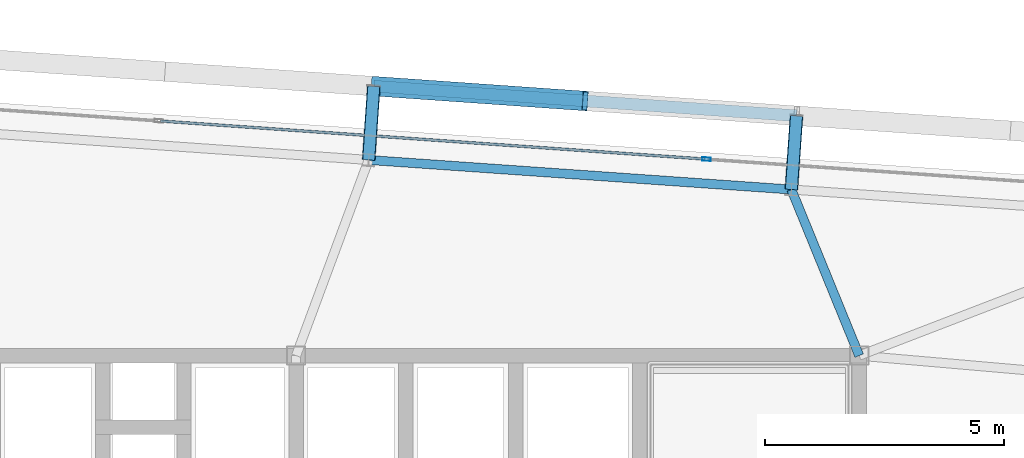
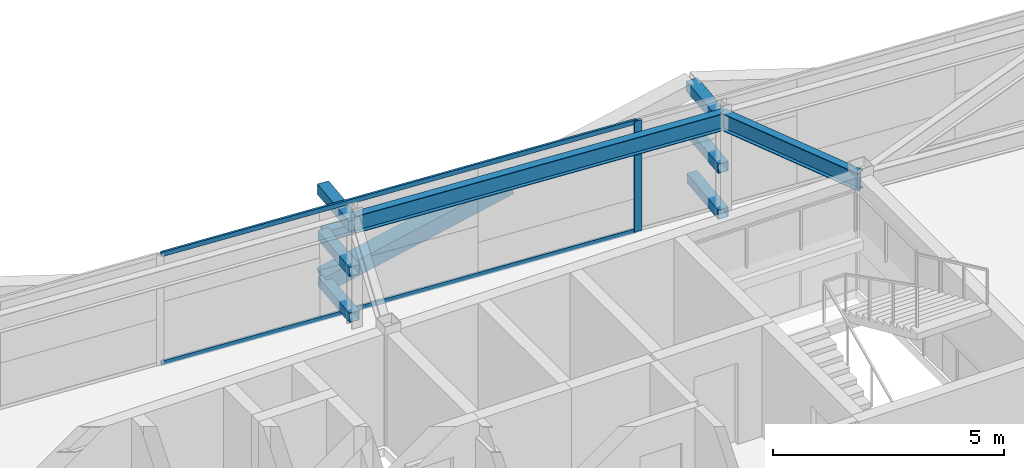
# One storey, part 23 of 39: 11 members, 2 beams, 1 element without a shape of its own.
"""IFC4 building model written with IfcOpenShell, lengths in metres."""

from ifc_helpers import new_model, si_unit, direction, frame, origin, origin_2d, place, context, subcontext, project, spatial, hollow_rectangle, i_section, extrude, source, transform, mapped, material, layer, layer_set, material_profile, profile_set, type_object, element, aggregate, save


model = new_model("IFC4")

# Units and contexts
model_context = context("Model", 3, precision=1e-05, world=origin(), true_north=direction((0.0, 1.0)))
body_context = subcontext(model_context, "Body", "Model", "MODEL_VIEW")
ifc_project = project(units=[si_unit("LENGTHUNIT", "METRE"), si_unit("AREAUNIT", "SQUARE_METRE"), si_unit("VOLUMEUNIT", "CUBIC_METRE"), si_unit("PLANEANGLEUNIT", "RADIAN"), si_unit("MASSUNIT", "GRAM", prefix="KILO")], contexts=[model_context])

# Site, building, storey
site_placement = place(None, origin())
site = spatial("IfcSite", under=ifc_project, at=site_placement, CompositionType="ELEMENT")
building_placement = place(site_placement, origin())
building = spatial("IfcBuilding", under=site, at=building_placement, Name="Taldren Reach Tower", CompositionType="ELEMENT")
storey_placement = place(building_placement, frame((0.0, 0.0, 129.85009765625)))
storey = spatial("IfcBuildingStorey", under=building, at=storey_placement, Name="L39", CompositionType="ELEMENT", Elevation=129.85009765625)

# Members
ifc_material_1 = material(Name="Steel Gr 450 (C450L0)", Category="steel")
ifc_material_profile_1 = material_profile(ifc_material_1, hollow_rectangle(XDim=0.27490234375, YDim=0.27490234375, WallThickness=0.00927734375, at=origin_2d()), Name="275x275x9.3SHS")
ifc_profile_set_1 = profile_set([ifc_material_profile_1], Name="Steel Gr 450 (C450L0)")
member_type_1 = type_object("IfcMemberType", Name="MB-TIE273", PredefinedType="STRUT", material=ifc_profile_set_1)
shared_shape_1 = source(origin(), body_context, "Body", "SweptSolid", [
    extrude(hollow_rectangle(XDim=0.27490234375, YDim=0.27490234375, WallThickness=0.00927734375, at=origin_2d()), origin(), (0.0, 0.0, 1.0), 1.550048828125),
])
for number, where, z_axis, x_axis, name in (
    (1, (40.7197265625, 36.100341796875, 2.64990234375), (0.06976957191, 0.99756313426, 0.0), (-0.99756313426, 0.06976957191, 0.0), "Exoskeleton diaphragm tie strut B3-N4 L39"),
    (2, (49.578125, 35.48095703125, 2.64990234375), (0.06976957191, 0.99756313426, 0.0), (-0.99756313426, 0.06976957191, 0.0), "Exoskeleton diaphragm tie strut B3-N5 L39"),
):
    element("IfcMember", number, at=place(storey_placement, frame(where, z_axis=z_axis, x_axis=x_axis)), inside=storey, type_object=member_type_1, Name=name, PredefinedType="STRUT", context=body_context, shape_type="MappedRepresentation", body=[
        mapped(shared_shape_1, transform((0.0, 0.0, 0.0), scale=1.0)),
    ])
ifc_material_2 = material(Name="Steel Gr 350 (C350L0)", Category="steel")
ifc_material_profile_2 = material_profile(ifc_material_2, hollow_rectangle(XDim=0.25, YDim=0.25, WallThickness=0.010009765625, at=origin_2d()), Name="250x250x10.0SHS")
ifc_profile_set_2 = profile_set([ifc_material_profile_2], Name="Steel Gr 350 (C350L0)")
member_type_2 = type_object("IfcMemberType", Name="MB-POST250", PredefinedType="POST", material=ifc_profile_set_2)
shared_shape_2 = source(origin(), body_context, "Body", "SweptSolid", [
    extrude(hollow_rectangle(XDim=0.25, YDim=0.25, WallThickness=0.010009765625, at=origin_2d()), origin(), (0.0, 0.0, 1.0), 1.550048828125),
])
for number, where, z_axis, x_axis, name in (
    (3, (40.7197265625, 36.100341796875, 0.219970703125), (0.06976957191, 0.99756313426, 0.0), (-0.99756313426, 0.06976957191, 0.0), "Exoskeleton base diaphragm tie strut B3-N4 L39"),
    (4, (49.578125, 35.48095703125, 0.219970703125), (0.06976957191, 0.99756313426, 0.0), (-0.99756313426, 0.06976957191, 0.0), "Exoskeleton base diaphragm tie strut B3-N5 L39"),
    (5, (40.7197265625, 36.100341796875, 1.434814453125), (0.06976957191, 0.99756313426, 0.0), (-0.99756313426, 0.06976957191, 0.0), "Exoskeleton mid-tier diaphragm tie B3-N4 L39"),
    (6, (49.578125, 35.48095703125, 1.434814453125), (0.06976957191, 0.99756313426, 0.0), (-0.99756313426, 0.06976957191, 0.0), "Exoskeleton mid-tier diaphragm tie B3-N5 L39"),
):
    element("IfcMember", number, at=place(storey_placement, frame(where, z_axis=z_axis, x_axis=x_axis)), inside=storey, type_object=member_type_2, Name=name, PredefinedType="POST", context=body_context, shape_type="MappedRepresentation", body=[
        mapped(shared_shape_2, transform((0.0, 0.0, 0.0), scale=1.0)),
    ])

# Beams
ifc_material_3 = material(Name="Steel Gr 350 (350PLUS)", Category="steel")
ifc_material_profile_3 = material_profile(ifc_material_3, i_section(OverallWidth=0.18994140625, OverallDepth=0.4541015625, WebThickness=0.008544921875, FlangeThickness=0.0126953125, at=origin_2d()), Name="460UB67.1")
ifc_profile_set_3 = profile_set([ifc_material_profile_3], Name="Steel Gr 350 (350PLUS)")
beam_type_1 = type_object("IfcBeamType", Name="SP-UB460B", PredefinedType="SPANDREL", material=ifc_profile_set_3)
shared_shape_3 = source(origin(), body_context, "Body", "SweptSolid", [
    extrude(i_section(OverallWidth=0.18994140625, OverallDepth=0.4541015625, WebThickness=0.008544921875, FlangeThickness=0.0126953125, at=origin_2d()), origin(), (0.0, 0.0, 1.0), 8.880126953125),
])
beam_1_placement = place(storey_placement, frame((49.578125, 35.48095703125, 2.702880859375), z_axis=(-0.997564479639, 0.069750333063, 0.0), x_axis=(-0.069750333063, -0.997564479639, 0.0)))
element("IfcBeam", 7, at=beam_1_placement, inside=storey, type_object=beam_type_1, Name="Perimeter spandrel B3 N5-N4 L39", PredefinedType="SPANDREL", context=body_context, shape_type="MappedRepresentation", body=[
    mapped(shared_shape_3, transform((0.0, 0.0, 0.0), scale=1.0)),
])
ifc_material_profile_4 = material_profile(ifc_material_3, i_section(OverallWidth=0.19091796875, OverallDepth=0.4599609375, WebThickness=0.010009765625, FlangeThickness=0.01611328125, at=origin_2d()), Name="460UB82.1")
ifc_profile_set_4 = profile_set([ifc_material_profile_4], Name="Steel Gr 350 (350PLUS)")
beam_type_2 = type_object("IfcBeamType", Name="BM-UB460A", PredefinedType="BEAM", material=ifc_profile_set_4)
shared_shape_4 = source(origin(), body_context, "Body", "SweptSolid", [
    extrude(i_section(OverallWidth=0.19091796875, OverallDepth=0.4599609375, WebThickness=0.010009765625, FlangeThickness=0.01611328125, at=origin_2d()), origin(), (0.0, 0.0, 1.0), 3.76025390625),
])
beam_2_placement = place(storey_placement, frame((51.0, 32.0, 2.699951171875), z_axis=(-0.37814232545, 0.925747471886, 0.0), x_axis=(-0.925747471886, -0.37814232545, 0.0)))
element("IfcBeam", 8, at=beam_2_placement, inside=storey, type_object=beam_type_2, Name="Primary floor girder B3-N5 L39", PredefinedType="BEAM", context=body_context, shape_type="MappedRepresentation", body=[
    mapped(shared_shape_4, transform((0.0, 0.0, 0.0), scale=1.0)),
])

# Members
shared_shape_5 = source(origin(), body_context, "Body", "SweptSolid", [
    extrude(hollow_rectangle(XDim=0.25, YDim=0.25, WallThickness=0.010009765625, at=origin_2d()), origin(), (0.0, 0.0, 1.0), 8.880126953125),
])
member_1_placement = place(storey_placement, frame((40.827880859375, 37.646728515625, 1.434814453125), z_axis=(0.997564479639, -0.069750333063, 0.0), x_axis=(0.069750333063, 0.997564479639, 0.0)))
element("IfcMember", 9, at=member_1_placement, inside=storey, type_object=member_type_2, Name="Exoskeleton mid-height ring chord B3-N4 L39", PredefinedType="POST", context=body_context, shape_type="MappedRepresentation", body=[
    mapped(shared_shape_5, transform((0.0, 0.0, 0.0), scale=1.0)),
])
ifc_material_profile_5 = material_profile(ifc_material_1, hollow_rectangle(XDim=0.409912109375, YDim=0.409912109375, WallThickness=0.01611328125, at=origin_2d()), Name="410x410x16.0SHS")
ifc_profile_set_5 = profile_set([ifc_material_profile_5], Name="Steel Gr 450 (C450L0)")
member_type_3 = type_object("IfcMemberType", Name="MB-EXO406", PredefinedType="BRACE", material=ifc_profile_set_5)
shared_shape_6 = source(origin(), body_context, "Body", "SweptSolid", [
    extrude(hollow_rectangle(XDim=0.409912109375, YDim=0.409912109375, WallThickness=0.01611328125, at=origin_2d()), origin(), (0.0, 0.0, 1.0), 4.603271484375),
])
member_2_placement = place(storey_placement, frame((40.827880859375, 37.646728515625, 0.219970703125), z_axis=(0.962195820062, -0.067303852699, 0.263911718699), x_axis=(0.06977769246, 0.997562566276, 0.0)))
element("IfcMember", 10, at=member_2_placement, inside=storey, type_object=member_type_3, Name="Exoskeleton Diagrid Brace B3-N4 L39", PredefinedType="BRACE", context=body_context, shape_type="MappedRepresentation", body=[
    mapped(shared_shape_6, transform((0.0, 0.0, 0.0), scale=1.0)),
])

# Curtain wall, members
ifc_material_4 = material(Name="Aluminium and Low-E Glass Unitised System", Category="aluminium")
ifc_layer = layer(ifc_material_4, 0.159912109375)
ifc_layer_set = layer_set([ifc_layer], Name="Aluminium and Low-E Glass Unitised System")
curtain_wall_type = type_object("IfcCurtainWallType", Name="CW-SYS-4", PredefinedType="NOTDEFINED", material=ifc_layer_set)
curtain_wall_placement = place(storey_placement, origin())
curtain_wall = element("IfcCurtainWall", 11, at=curtain_wall_placement, inside=storey, type_object=curtain_wall_type, Name="Unitised curtain wall CW-L39-N", PredefinedType="NOTDEFINED")
ifc_material_5 = material(Name="Anodised Aluminium 6063-T6", Category="aluminium")
ifc_material_profile_6 = material_profile(ifc_material_5, hollow_rectangle(XDim=0.054931640625, YDim=0.1201171875, WallThickness=0.0029296875, at=origin_2d()), Name="ALU-120x55x3RHS")
ifc_profile_set_6 = profile_set([ifc_material_profile_6], Name="Anodised Aluminium 6063-T6")
member_type_4 = type_object("IfcMemberType", Name="CW-TRN-135", PredefinedType="USERDEFINED", material=ifc_profile_set_6)
shared_shape_7 = source(origin(), body_context, "Body", "SweptSolid", [
    extrude(hollow_rectangle(XDim=0.054931640625, YDim=0.1201171875, WallThickness=0.0029296875, at=origin_2d()), origin(), (0.0, 0.0, 1.0), 11.429931640625),
])
member_3_placement = place(storey_placement, frame((47.76318359375, 36.119140625, 0.02734375), z_axis=(-0.997563740938, 0.069760897114, 0.0), x_axis=(-0.069760897114, -0.997563740938, 0.0)))
member_3 = element("IfcMember", 12, at=member_3_placement, type_object=member_type_4, Name="CW-4 transom 2.1", ObjectType="TRANSOM", PredefinedType="USERDEFINED", context=body_context, shape_type="MappedRepresentation", body=[
    mapped(shared_shape_7, transform((0.0, 0.0, 0.0), scale=1.0)),
])
member_4_placement = place(storey_placement, frame((47.76318359375, 36.119140625, 2.90234375), z_axis=(-0.997563740938, 0.069760897114, 0.0), x_axis=(-0.069760897114, -0.997563740938, 0.0)))
member_4 = element("IfcMember", 13, at=member_4_placement, type_object=member_type_4, Name="CW-4 transom 2.2", ObjectType="TRANSOM", PredefinedType="USERDEFINED", context=body_context, shape_type="MappedRepresentation", body=[
    mapped(shared_shape_7, transform((0.0, 0.0, 0.0), scale=1.0)),
])
ifc_material_profile_7 = material_profile(ifc_material_5, hollow_rectangle(XDim=0.070068359375, YDim=0.179931640625, WallThickness=0.00390625, at=origin_2d()), Name="ALU-180x70x4RHS")
ifc_profile_set_7 = profile_set([ifc_material_profile_7], Name="Anodised Aluminium 6063-T6")
member_type_5 = type_object("IfcMemberType", Name="CW-MUL-180", PredefinedType="MULLION", material=ifc_profile_set_7)
shared_shape_8 = source(origin(), body_context, "Body", "SweptSolid", [
    extrude(hollow_rectangle(XDim=0.070068359375, YDim=0.179931640625, WallThickness=0.00390625, at=origin_2d()), origin(), (0.0, 0.0, 1.0), 2.929931640625),
])
member_5_placement = place(storey_placement, frame((47.798095703125, 36.11669921875, 0.0), z_axis=(0.0, 0.0, 1.0), x_axis=(-0.06975651593, -0.99756404731, 0.0)))
member_5 = element("IfcMember", 14, at=member_5_placement, type_object=member_type_5, Name="CW-4 mullion 2", PredefinedType="MULLION", context=body_context, shape_type="MappedRepresentation", body=[
    mapped(shared_shape_8, transform((0.0, 0.0, 0.0), scale=1.0)),
])
aggregate(curtain_wall, [member_5, member_3, member_4])

save(model, "model.ifc")
